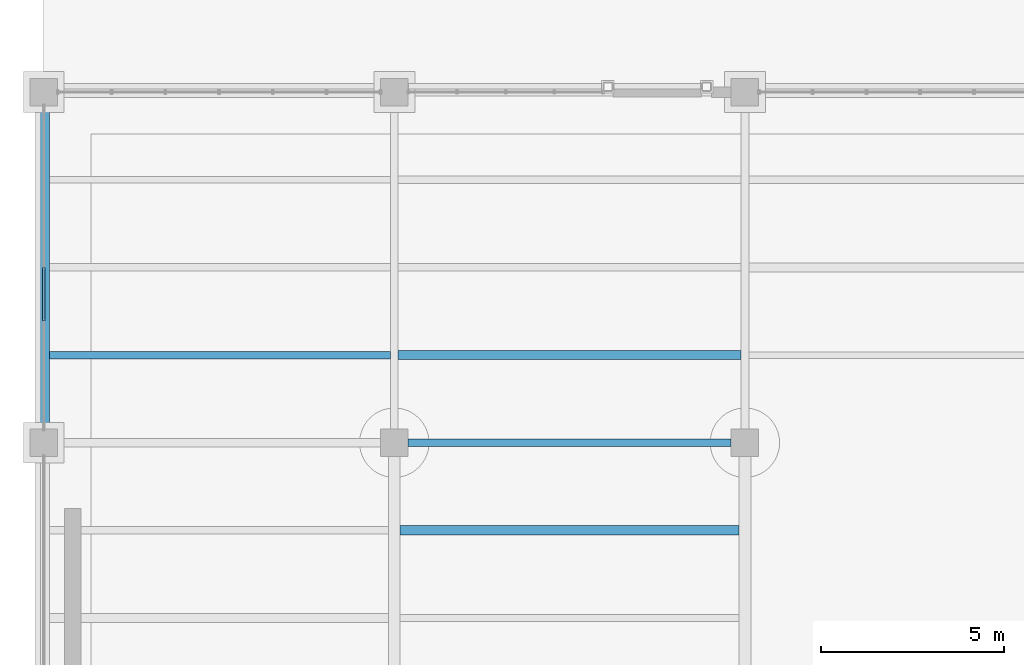
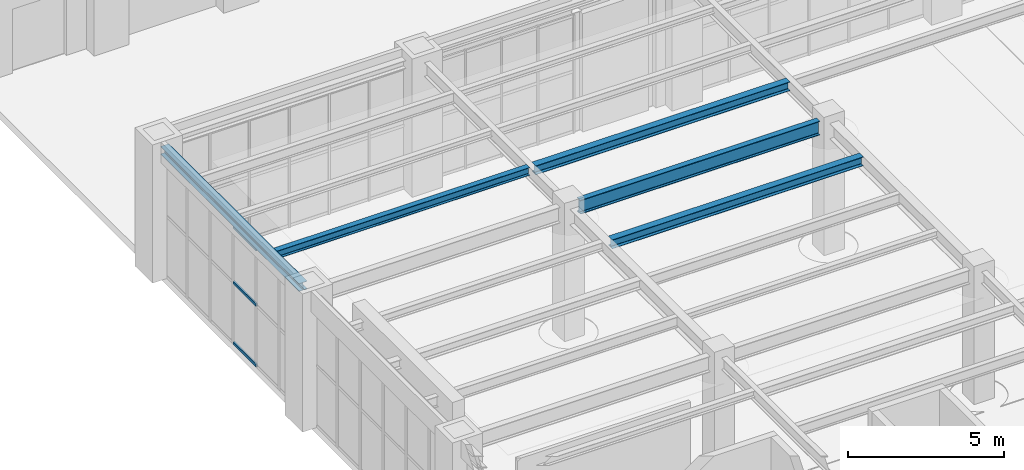
# One storey, part 30 of 164: 5 beams, 3 members, 1 element without a shape of its own.
"""IFC4 building model written with IfcOpenShell, lengths in metres."""

import ifcopenshell
import ifcopenshell.guid

model = None  # the IFC model being written
_history = None  # IfcOwnerHistory: only IFC2X3 demands one
_inside = {}  # id of a spatial element -> (the spatial element, [elements in it])
_under = {}  # id of a project, library or spatial element -> (it, [spatial elements below it])
_declared = {}  # id of a project -> (the project, [libraries it declares])
_typed = {}  # id of a type object -> (the type object, [elements of that type])
_made_of = {}  # id of a material, layer set ... -> (it, [elements and type objects made of it])


def new_model(schema):
    """Start an empty IFC model of exactly this schema.

    Asked for "IFC4X3", IfcOpenShell would pick the latest addendum, in which some entities
    have other attributes; the version numbers below select the first issue.
    IFC2X3 requires an IfcOwnerHistory on every rooted entity: one is made here for all.
    """
    global model, _history
    if schema == "IFC4X3":
        model = ifcopenshell.file(schema_version=(4, 3, 0, 0))
    else:
        model = ifcopenshell.file(schema=schema)
    _inside.clear()
    _under.clear()
    _declared.clear()
    _typed.clear()
    _made_of.clear()
    _history = None
    if model.schema == "IFC2X3":
        org = make("IfcOrganization", Name="unknown")
        user = make(
            "IfcPersonAndOrganization",
            ThePerson=make("IfcPerson", FamilyName="unknown"),
            TheOrganization=org,
        )
        app = make(
            "IfcApplication",
            ApplicationDeveloper=org,
            Version="unknown",
            ApplicationFullName="unknown",
            ApplicationIdentifier="unknown",
        )
        _history = make(
            "IfcOwnerHistory",
            OwningUser=user,
            OwningApplication=app,
            ChangeAction="ADDED",
            CreationDate=0,
        )
    return model


def make(cls, **values):
    """One entity of the class cls with the attributes given. An attribute that is None is left unset."""
    return model.create_entity(
        cls, **{name: value for name, value in values.items() if value is not None}
    )


def rooted(cls, **values):
    """An entity with a GlobalId (a new one), such as an element, a storey or a relation."""
    return make(cls, GlobalId=ifcopenshell.guid.new(), OwnerHistory=_history, **values)


def si_unit(unit_type, name, prefix=None):
    """IfcSIUnit, for example si_unit("LENGTHUNIT", "METRE", prefix="MILLI")."""
    return make("IfcSIUnit", UnitType=unit_type, Prefix=prefix, Name=name)


def assignment(units):
    """IfcUnitAssignment: the units of a project."""
    return None if units is None else make("IfcUnitAssignment", Units=units)


def point(xyz):
    """IfcCartesianPoint."""
    return None if xyz is None else make("IfcCartesianPoint", Coordinates=xyz)


def direction(xyz):
    """IfcDirection."""
    return None if xyz is None else make("IfcDirection", DirectionRatios=xyz)


def frame(location, z_axis=None, x_axis=None):
    """IfcAxis2Placement3D, a coordinate frame: its origin and axes. An axis left out is left unset."""
    return make(
        "IfcAxis2Placement3D",
        Location=point(location),
        Axis=direction(z_axis),
        RefDirection=direction(x_axis),
    )


def frame_2d(location, x_axis=None):
    """IfcAxis2Placement2D, a coordinate frame in the plane: its origin and x axis."""
    return make(
        "IfcAxis2Placement2D", Location=point(location), RefDirection=direction(x_axis)
    )


def origin():
    """The frame at (0, 0, 0) with its axes left unset."""
    return frame((0.0, 0.0, 0.0))


def origin_2d():
    """The frame at (0, 0) in the plane with its x axis left unset."""
    return frame_2d((0.0, 0.0))


def place(relative_to, where):
    """IfcLocalPlacement: puts the frame where relative to a parent placement (None: the world)."""
    return make(
        "IfcLocalPlacement", PlacementRelTo=relative_to, RelativePlacement=where
    )


def context(
    kind, dimensions, precision=None, world=None, true_north=None, identifier=None
):
    """IfcGeometricRepresentationContext, for example the 3D "Model" context."""
    return make(
        "IfcGeometricRepresentationContext",
        ContextIdentifier=identifier,
        ContextType=kind,
        CoordinateSpaceDimension=dimensions,
        Precision=precision,
        WorldCoordinateSystem=world,
        TrueNorth=true_north,
    )


def subcontext(parent, identifier, kind, view, scale=None):
    """IfcGeometricRepresentationSubContext, for example "Body" below "Model"."""
    return make(
        "IfcGeometricRepresentationSubContext",
        ContextIdentifier=identifier,
        ContextType=kind,
        ParentContext=parent,
        TargetScale=scale,
        TargetView=view,
    )


def project(units=None, contexts=None):
    """IfcProject with its units and contexts."""
    return rooted(
        "IfcProject",
        Name="project",
        RepresentationContexts=contexts,
        UnitsInContext=assignment(units),
    )


def spatial(cls, under=None, at=None, **own):
    """A site, building, storey or space (cls), placed at a placement, below another one or the project."""
    s = rooted(cls, ObjectPlacement=at, **own)
    if under is not None:
        _under.setdefault(under.id(), (under, []))[1].append(s)
    return s


def profile(cls, at=None, kind="AREA", **sizes):
    """A parametric profile (cls). Its sizes go by their IFC names, for example OverallWidth=200.0."""
    return make(cls, ProfileType=kind, Position=at, **sizes)


def hollow_rectangle(**sizes):
    """IfcRectangleHollowProfileDef."""
    return profile("IfcRectangleHollowProfileDef", **sizes)


def i_section(**sizes):
    """IfcIShapeProfileDef."""
    return profile("IfcIShapeProfileDef", **sizes)


def extrude(swept, where, along, depth):
    """IfcExtrudedAreaSolid: the profile swept, set in the frame where, extruded along a direction by depth."""
    return make(
        "IfcExtrudedAreaSolid",
        SweptArea=swept,
        Position=where,
        ExtrudedDirection=direction(along),
        Depth=depth,
    )


def shape(context_of_items, identifier, shape_type, items):
    """IfcShapeRepresentation: the items that make up one representation, for example the "Body"."""
    return make(
        "IfcShapeRepresentation",
        ContextOfItems=context_of_items,
        RepresentationIdentifier=identifier,
        RepresentationType=shape_type,
        Items=items,
    )


def material(Name=None, Category=None):
    """IfcMaterial."""
    return make("IfcMaterial", Name=Name, Category=Category)


def material_profile(
    of_material, cross_section, Name=None, Category=None, Priority=None
):
    """IfcMaterialProfile: a cross section and its material."""
    return make(
        "IfcMaterialProfile",
        Name=Name,
        Material=of_material,
        Profile=cross_section,
        Priority=Priority,
        Category=Category,
    )


def profile_set(profiles, Name=None, composite=None):
    """IfcMaterialProfileSet."""
    return make(
        "IfcMaterialProfileSet",
        Name=Name,
        MaterialProfiles=profiles,
        CompositeProfile=composite,
    )


def made_of(thing, what):
    """Note that an element or type object is made of a material, layer set ...; save() writes the relation."""
    if what is not None:
        _made_of.setdefault(what.id(), (what, []))[1].append(thing)
    return thing


def type_object(cls, material=None, **own):
    """A type object (cls), such as IfcWallType, which elements share."""
    return made_of(rooted(cls, **own), material)


def element(
    cls,
    number,
    at=None,
    inside=None,
    cuts=None,
    type_object=None,
    material=None,
    context=None,
    identifier="Body",
    shape_type=None,
    held_by="IfcProductDefinitionShape",
    body=None,
    shapes=None,
    **own,
):
    """One element of the class cls, such as IfcWall. Its Tag is "e" and its number.

    at: its placement. inside: the storey or other place that contains it. cuts: it is an
    opening in that element (IfcRelVoidsElement). A single representation is given by context,
    identifier, shape_type and body (its items); several are given by shapes. held_by: the class
    of the entity that holds the representations. save() writes the other relations.
    """
    e = rooted(cls, Tag="e%d" % number, ObjectPlacement=at, **own)
    if body is not None:
        shapes = [shape(context, identifier, shape_type, body)]
    if shapes is not None:
        e.Representation = make(held_by, Representations=shapes)
    if inside is not None:
        _inside.setdefault(inside.id(), (inside, []))[1].append(e)
    if cuts is not None:
        rooted(
            "IfcRelVoidsElement", RelatingBuildingElement=cuts, RelatedOpeningElement=e
        )
    if type_object is not None:
        _typed.setdefault(type_object.id(), (type_object, []))[1].append(e)
    return made_of(e, material)


def aggregate(whole, parts):
    """IfcRelAggregates: a whole, such as a stair, and the parts it consists of."""
    return rooted("IfcRelAggregates", RelatingObject=whole, RelatedObjects=parts)


def save(model, path):
    """Write the relations noted so far, then the file.

    IfcRelAggregates (storeys below a building ...), IfcRelContainedInSpatialStructure (elements
    in a storey), IfcRelDefinesByType, IfcRelAssociatesMaterial and IfcRelDeclares: one each for
    every whole, place, type object, material and project.
    """
    for whole, parts in _under.values():
        aggregate(whole, parts)
    for where, things in _inside.values():
        rooted(
            "IfcRelContainedInSpatialStructure",
            RelatedElements=things,
            RelatingStructure=where,
        )
    for kind, things in _typed.values():
        rooted("IfcRelDefinesByType", RelatedObjects=things, RelatingType=kind)
    for what, things in _made_of.values():
        rooted("IfcRelAssociatesMaterial", RelatedObjects=things, RelatingMaterial=what)
    for by, libraries in _declared.values():
        rooted("IfcRelDeclares", RelatingContext=by, RelatedDefinitions=libraries)
    model.write(path)


model = new_model("IFC4")

# Units and contexts
model_context = context("Model", 3, precision=1e-05, world=origin(), true_north=direction((0.0, 1.0)))
body_context = subcontext(model_context, "Body", "Model", "MODEL_VIEW")
ifc_project = project(units=[si_unit("LENGTHUNIT", "METRE"), si_unit("AREAUNIT", "SQUARE_METRE"), si_unit("VOLUMEUNIT", "CUBIC_METRE"), si_unit("PLANEANGLEUNIT", "RADIAN"), si_unit("MASSUNIT", "GRAM", prefix="KILO")], contexts=[model_context])

# Site, building, storey
site_placement = place(None, origin())
site = spatial("IfcSite", under=ifc_project, at=site_placement, CompositionType="ELEMENT")
building_placement = place(site_placement, origin())
building = spatial("IfcBuilding", under=site, at=building_placement, Name="Mavantir Sound Aquarium", CompositionType="ELEMENT")
storey_placement = place(building_placement, origin())
storey = spatial("IfcBuildingStorey", under=building, at=storey_placement, Name="L00", CompositionType="ELEMENT", Elevation=0.0)

# Beams
ifc_material_1 = material(Name="Structural Steel ASTM A992 Gr50", Category="steel")
ifc_material_profile_1 = material_profile(ifc_material_1, i_section(OverallWidth=0.205078125, OverallDepth=0.31005859375, WebThickness=0.009521484375, FlangeThickness=0.016357421875, FilletRadius=0.012939453125, at=origin_2d()), Name="W310X74")
ifc_profile_set_1 = profile_set([ifc_material_profile_1], Name="Structural Steel ASTM A992 Gr50")
beam_type_1 = type_object("IfcBeamType", Name="BM-W310X74-I", PredefinedType="JOIST", material=ifc_profile_set_1)
beam_1_placement = place(storey_placement, frame((0.152587890625, 21.60009765625, 4.94091796875), z_axis=(1.0, 0.0, 0.0), x_axis=(0.0, 1.0, 0.0)))
element("IfcBeam", 1, at=beam_1_placement, inside=storey, type_object=beam_type_1, Name="L00 secondary floor joist SJ-31 495", PredefinedType="JOIST", context=body_context, shape_type="SweptSolid", body=[
    extrude(i_section(OverallWidth=0.205078125, OverallDepth=0.31005859375, WebThickness=0.009521484375, FlangeThickness=0.016357421875, FilletRadius=0.012939453125, at=origin_2d()), origin(), (0.0, 0.0, 1.0), 9.34130859375),
])
ifc_material_profile_2 = material_profile(ifc_material_1, i_section(OverallWidth=0.304931640625, OverallDepth=0.30810546875, WebThickness=0.010009765625, FlangeThickness=0.015380859375, FilletRadius=0.014892578125, at=origin_2d()), Name="W310X97")
ifc_profile_set_2 = profile_set([ifc_material_profile_2], Name="Structural Steel ASTM A992 Gr50")
beam_type_2 = type_object("IfcBeamType", Name="BM-W310X97-E", PredefinedType="SPANDREL", material=ifc_profile_set_2)
beam_2_placement = place(storey_placement, frame((0.0, 19.574951171875, 4.94189453125), z_axis=(0.0, 1.0, 0.0), x_axis=(-1.0, 0.0, 0.0)))
element("IfcBeam", 2, at=beam_2_placement, inside=storey, type_object=beam_type_2, Name="L00 primary girder SS-31A 908", PredefinedType="SPANDREL", context=body_context, shape_type="SweptSolid", body=[
    extrude(i_section(OverallWidth=0.304931640625, OverallDepth=0.30810546875, WebThickness=0.010009765625, FlangeThickness=0.015380859375, FilletRadius=0.014892578125, at=origin_2d()), origin(), (0.0, 0.0, 1.0), 8.85009765625),
])
ifc_material_profile_3 = material_profile(ifc_material_1, i_section(OverallWidth=0.25390625, OverallDepth=0.35302734375, WebThickness=0.009521484375, FlangeThickness=0.016357421875, FilletRadius=0.014892578125, at=origin_2d()), Name="W360X91")
ifc_profile_set_3 = profile_set([ifc_material_profile_3], Name="Structural Steel ASTM A992 Gr50")
beam_type_3 = type_object("IfcBeamType", Name="BM-W360X91-I", PredefinedType="JOIST", material=ifc_profile_set_3)
beam_3_placement = place(storey_placement, frame((9.761962890625, 16.800048828125, 4.91943359375), z_axis=(1.0, 0.0, 0.0), x_axis=(0.0, 1.0, 0.0)))
element("IfcBeam", 3, at=beam_3_placement, inside=storey, type_object=beam_type_3, Name="L00 secondary floor joist SJ-36 494", PredefinedType="JOIST", context=body_context, shape_type="SweptSolid", body=[
    extrude(i_section(OverallWidth=0.25390625, OverallDepth=0.35302734375, WebThickness=0.009521484375, FlangeThickness=0.016357421875, FilletRadius=0.014892578125, at=origin_2d()), origin(), (0.0, 0.0, 1.0), 9.276123046875),
])
beam_4_placement = place(storey_placement, frame((9.7060546875, 21.60009765625, 4.91943359375), z_axis=(1.0, 0.0, 0.0), x_axis=(0.0, 1.0, 0.0)))
element("IfcBeam", 4, at=beam_4_placement, inside=storey, type_object=beam_type_3, Name="L00 secondary floor joist SJ-36 498", PredefinedType="JOIST", context=body_context, shape_type="SweptSolid", body=[
    extrude(i_section(OverallWidth=0.25390625, OverallDepth=0.35302734375, WebThickness=0.009521484375, FlangeThickness=0.016357421875, FilletRadius=0.014892578125, at=origin_2d()), origin(), (0.0, 0.0, 1.0), 9.387939453125),
])
ifc_material_profile_4 = material_profile(ifc_material_1, i_section(OverallWidth=0.2119140625, OverallDepth=0.5439453125, WebThickness=0.01318359375, FlangeThickness=0.021240234375, FilletRadius=0.01806640625, at=origin_2d()), Name="W530X123")
ifc_profile_set_4 = profile_set([ifc_material_profile_4], Name="Structural Steel ASTM A992 Gr50")
beam_type_4 = type_object("IfcBeamType", Name="BM-W530X123-I", PredefinedType="BEAM", material=ifc_profile_set_4)
beam_5_placement = place(storey_placement, frame((9.97509765625, 19.199951171875, 4.823974609375), z_axis=(1.0, 0.0, 0.0), x_axis=(0.0, 1.0, 0.0)))
element("IfcBeam", 5, at=beam_5_placement, inside=storey, type_object=beam_type_4, Name="L00 primary beam SB-53 898", PredefinedType="BEAM", context=body_context, shape_type="SweptSolid", body=[
    extrude(i_section(OverallWidth=0.2119140625, OverallDepth=0.5439453125, WebThickness=0.01318359375, FlangeThickness=0.021240234375, FilletRadius=0.01806640625, at=origin_2d()), origin(), (0.0, 0.0, 1.0), 8.849853515625),
])

# Curtain wall, members
ifc_material_2 = material(Name="Anodised Marine Aluminium and Low-E Glass", Category="aluminium")
curtain_wall_type = type_object("IfcCurtainWallType", Name="CW-T11", PredefinedType="USERDEFINED", material=ifc_material_2)
curtain_wall_placement = place(storey_placement, origin())
curtain_wall = element("IfcCurtainWall", 6, at=curtain_wall_placement, inside=storey, type_object=curtain_wall_type, Name="L00 unitised curtain wall CW-11 11", ObjectType="UNITISED GLAZING", PredefinedType="USERDEFINED")
ifc_material_3 = material(Name="Anodised Marine Aluminium 6063-T6", Category="aluminium")
ifc_material_profile_5 = material_profile(ifc_material_3, hollow_rectangle(XDim=0.06005859375, YDim=0.110107421875, WallThickness=0.00390625, at=origin_2d()), Name="ALU-TRANSOM-110X60")
ifc_profile_set_5 = profile_set([ifc_material_profile_5], Name="Anodised Marine Aluminium 6063-T6")
member_type = type_object("IfcMemberType", Name="CW-TRN-110", PredefinedType="USERDEFINED", material=ifc_profile_set_5)
member_1_placement = place(storey_placement, frame((0.0, 24.0, 0.054931640625), z_axis=(0.0, -1.0, 0.0), x_axis=(1.0, 0.0, 0.0)))
member_1 = element("IfcMember", 7, at=member_1_placement, type_object=member_type, Name="CW-L00-011 transom 4.1", ObjectType="TRANSOM", PredefinedType="USERDEFINED", context=body_context, shape_type="SweptSolid", body=[
    extrude(hollow_rectangle(XDim=0.06005859375, YDim=0.110107421875, WallThickness=0.00390625, at=origin_2d()), origin(), (0.0, 0.0, 1.0), 1.472412109375),
])
member_2_placement = place(storey_placement, frame((0.0, 24.0, 2.41748046875), z_axis=(0.0, -1.0, 0.0), x_axis=(1.0, 0.0, 0.0)))
member_2 = element("IfcMember", 8, at=member_2_placement, type_object=member_type, Name="CW-L00-011 transom 4.2", ObjectType="TRANSOM", PredefinedType="USERDEFINED", context=body_context, shape_type="SweptSolid", body=[
    extrude(hollow_rectangle(XDim=0.06005859375, YDim=0.110107421875, WallThickness=0.00390625, at=origin_2d()), origin(), (0.0, 0.0, 1.0), 1.472412109375),
])
member_3_placement = place(storey_placement, frame((0.0, 24.0, 4.593994140625), z_axis=(0.0, -1.0, 0.0), x_axis=(1.0, 0.0, 0.0)))
member_3 = element("IfcMember", 9, at=member_3_placement, type_object=member_type, Name="CW-L00-011 transom 4.3", ObjectType="TRANSOM", PredefinedType="USERDEFINED", context=body_context, shape_type="SweptSolid", body=[
    extrude(hollow_rectangle(XDim=0.06005859375, YDim=0.110107421875, WallThickness=0.00390625, at=origin_2d()), origin(), (0.0, 0.0, 1.0), 1.472412109375),
])
aggregate(curtain_wall, [member_1, member_2, member_3])

save(model, "model.ifc")
